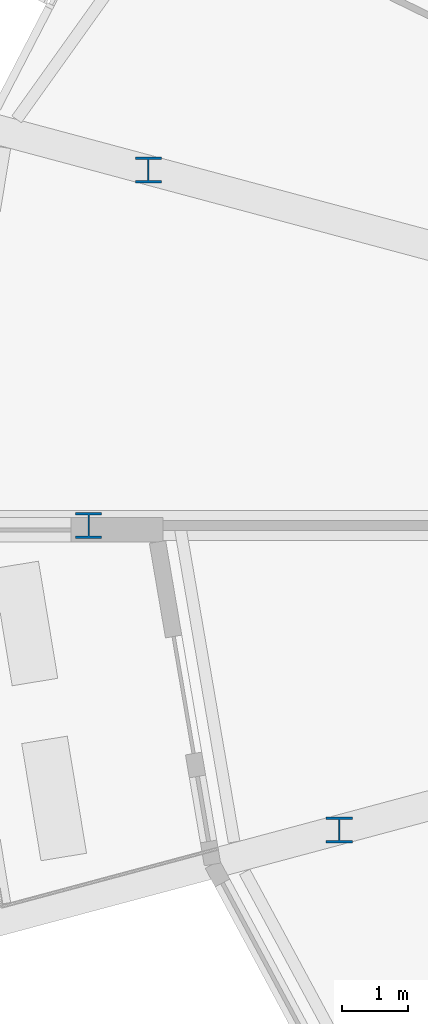
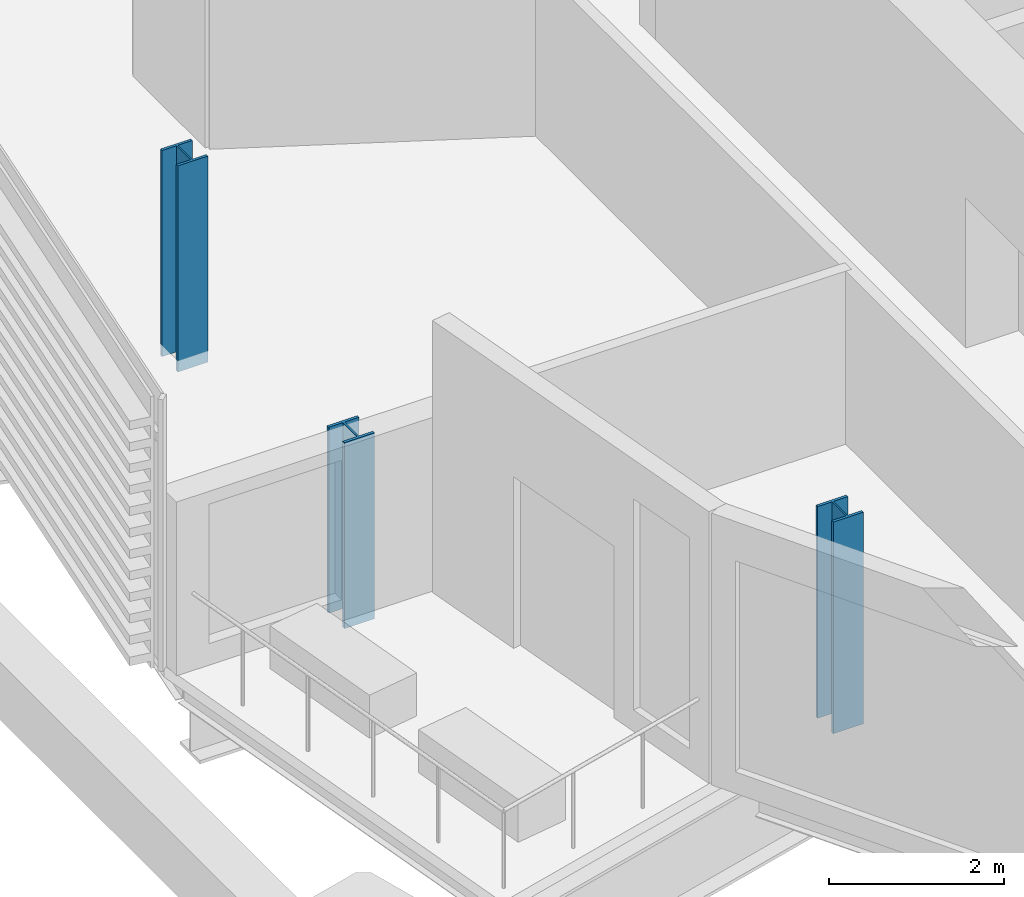
# One storey, part 1 of 38: 3 columns.
"""IFC4 building model written with IfcOpenShell, lengths in metres."""

from ifc_helpers import new_model, si_unit, direction, frame, origin, origin_2d, place, context, subcontext, project, spatial, i_section, extrude, material, material_profile, profile_set, type_object, element, save


model = new_model("IFC4")

# Units and contexts
model_context = context("Model", 3, precision=1e-05, world=origin(), true_north=direction((0.0, 1.0)))
body_context = subcontext(model_context, "Body", "Model", "MODEL_VIEW")
ifc_project = project(units=[si_unit("LENGTHUNIT", "METRE"), si_unit("AREAUNIT", "SQUARE_METRE"), si_unit("VOLUMEUNIT", "CUBIC_METRE"), si_unit("PLANEANGLEUNIT", "RADIAN"), si_unit("MASSUNIT", "GRAM", prefix="KILO")], contexts=[model_context])

# Site, building, storey
site_placement = place(None, origin())
site = spatial("IfcSite", under=ifc_project, at=site_placement, CompositionType="ELEMENT")
building_placement = place(site_placement, origin())
building = spatial("IfcBuilding", under=site, at=building_placement, Name="Rimbun Link Towers", CompositionType="ELEMENT")
storey_placement = place(building_placement, frame((0.0, 0.0, 93.0)))
storey = spatial("IfcBuildingStorey", under=building, at=storey_placement, Name="L22", CompositionType="ELEMENT", Elevation=93.0)

# Columns
ifc_material = material(Name="Steel S355J2", Category="steel")
ifc_material_profile = material_profile(ifc_material, i_section(OverallWidth=0.39892578125, OverallDepth=0.3935546875, WebThickness=0.022705078125, FlangeThickness=0.03662109375, at=origin_2d()), Name="UC 356x406x287")
ifc_profile_set = profile_set([ifc_material_profile], Name="Steel S355J2")
column_type = type_object("IfcColumnType", Name="UC 356x406x287", PredefinedType="COLUMN", material=ifc_profile_set)
column_1_placement = place(storey_placement, frame((-51.86572265625, 5.389892578125, -0.159912109375), z_axis=(0.0, 0.0, 1.0), x_axis=(1.0, 0.0, 0.0)))
element("IfcColumn", 1, at=column_1_placement, inside=storey, type_object=column_type, Name="Crease post T1 L22 11", PredefinedType="COLUMN", context=body_context, shape_type="SweptSolid", body=[
    extrude(i_section(OverallWidth=0.39892578125, OverallDepth=0.3935546875, WebThickness=0.022705078125, FlangeThickness=0.03662109375, at=origin_2d()), origin(), (0.0, 0.0, 1.0), 2.881591796875),
])
column_2_placement = place(storey_placement, frame((-52.77490234375, 0.0, -0.159912109375), z_axis=(0.0, 0.0, 1.0), x_axis=(1.0, 0.0, 0.0)))
element("IfcColumn", 2, at=column_2_placement, inside=storey, type_object=column_type, Name="Crease post T1 L22 12", PredefinedType="COLUMN", context=body_context, shape_type="SweptSolid", body=[
    extrude(i_section(OverallWidth=0.39892578125, OverallDepth=0.3935546875, WebThickness=0.022705078125, FlangeThickness=0.03662109375, at=origin_2d()), origin(), (0.0, 0.0, 1.0), 2.599853515625),
])
column_3_placement = place(storey_placement, frame((-48.974853515625, -4.615478515625, -0.159912109375), z_axis=(0.0, 0.0, 1.0), x_axis=(1.0, 0.0, 0.0)))
element("IfcColumn", 3, at=column_3_placement, inside=storey, type_object=column_type, Name="Crease post T1 L22 13", PredefinedType="COLUMN", context=body_context, shape_type="SweptSolid", body=[
    extrude(i_section(OverallWidth=0.39892578125, OverallDepth=0.3935546875, WebThickness=0.022705078125, FlangeThickness=0.03662109375, at=origin_2d()), origin(), (0.0, 0.0, 1.0), 2.959228515625),
])

save(model, "model.ifc")
